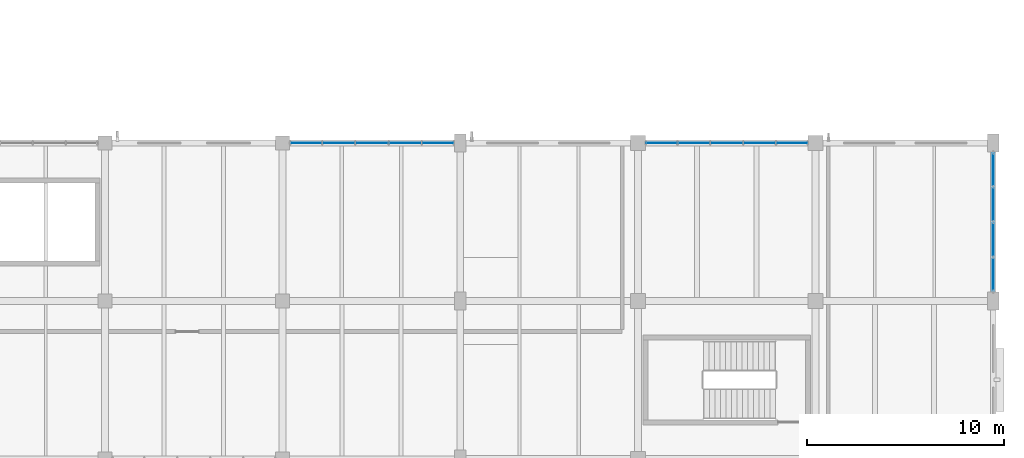
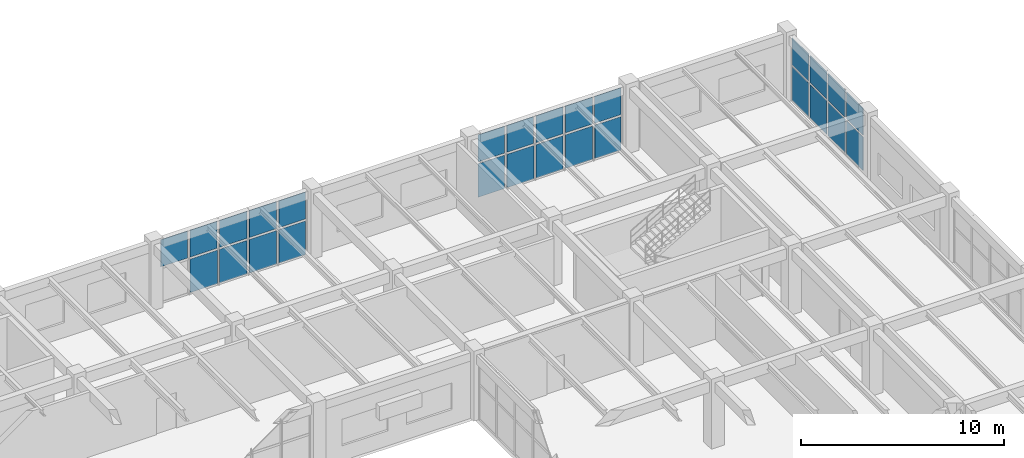
# One storey, part 107 of 128: 27 plates, 3 elements without a shape of their own.
"""IFC4 building model written with IfcOpenShell, lengths in metres."""

from ifc_helpers import new_model, si_unit, derived_unit, direction, frame, origin, origin_2d, place, context, subcontext, project, spatial, rectangle, extrude, material, layer, layer_set, type_object, element, aggregate, save


model = new_model("IFC4")

# Units and contexts
model_context = context("Model", 3, precision=1e-05, world=origin(), true_north=direction((0.0, 1.0)))
body_context = subcontext(model_context, "Body", "Model", "MODEL_VIEW")
ifc_project = project(units=[si_unit("LENGTHUNIT", "METRE"), si_unit("AREAUNIT", "SQUARE_METRE"), si_unit("VOLUMEUNIT", "CUBIC_METRE"), si_unit("PLANEANGLEUNIT", "RADIAN"), si_unit("MASSUNIT", "GRAM", prefix="KILO"), derived_unit("THERMALTRANSMITTANCEUNIT", [(si_unit("MASSUNIT", "GRAM", prefix="KILO"), 1), (si_unit("TIMEUNIT", "SECOND"), -3), (si_unit("THERMODYNAMICTEMPERATUREUNIT", "KELVIN"), -1)])], contexts=[model_context])

# Site, building, storey
site_placement = place(None, origin())
site = spatial("IfcSite", under=ifc_project, at=site_placement, CompositionType="ELEMENT")
building_placement = place(site_placement, origin())
building = spatial("IfcBuilding", under=site, at=building_placement, Name="Zhenchuan Archway Interchange", CompositionType="ELEMENT")
storey_placement = place(building_placement, frame((0.0, 0.0, 14.39990234375)))
storey = spatial("IfcBuildingStorey", under=building, at=storey_placement, Name="L03", CompositionType="ELEMENT", Elevation=14.39990234375)

# Curtain wall, plates
ifc_material_1 = material(Name="Anodised Aluminium", Category="aluminium")
curtain_wall_type_1 = type_object("IfcCurtainWallType", Name="CW_UNIT_1", PredefinedType="NOTDEFINED", material=ifc_material_1)
curtain_wall_1_placement = place(storey_placement, origin())
curtain_wall_1 = element("IfcCurtainWall", 1, at=curtain_wall_1_placement, inside=storey, type_object=curtain_wall_type_1, Name="Unitised curtain wall CW:L03:176", PredefinedType="NOTDEFINED")
ifc_material_2 = material(Name="Double Low-E Insulated Glazing", Category="glass")
ifc_layer_1 = layer(ifc_material_2, 0.028076171875)
ifc_layer_set_1 = layer_set([ifc_layer_1], Name="Double Low-E Insulated Glazing")
plate_type_1 = type_object("IfcPlateType", Name="CW_GLZ_1", PredefinedType="CURTAIN_PANEL", material=ifc_layer_set_1)
plate_1_placement = place(storey_placement, frame((137.84228515625, 104.0, 0.080078125), z_axis=(0.0, 0.0, 1.0), x_axis=(1.0, 0.0, 0.0)))
plate_1 = element("IfcPlate", 2, at=plate_1_placement, type_object=plate_type_1, Name="CW:L03:176 lower glazing panel 1", PredefinedType="CURTAIN_PANEL", context=body_context, shape_type="SweptSolid", body=[
    extrude(rectangle(XDim=1.542724609375, YDim=0.028076171875, at=origin_2d()), origin(), (0.0, 0.0, 1.0), 2.01611328125),
])
plate_2_placement = place(storey_placement, frame((139.52490234375, 104.0, 0.080078125), z_axis=(0.0, 0.0, 1.0), x_axis=(1.0, 0.0, 0.0)))
plate_2 = element("IfcPlate", 3, at=plate_2_placement, type_object=plate_type_1, Name="CW:L03:176 lower glazing panel 2", PredefinedType="CURTAIN_PANEL", context=body_context, shape_type="SweptSolid", body=[
    extrude(rectangle(XDim=1.542724609375, YDim=0.028076171875, at=origin_2d()), origin(), (0.0, 0.0, 1.0), 2.01611328125),
])
plate_3_placement = place(storey_placement, frame((141.207763671875, 104.0, 0.080078125), z_axis=(0.0, 0.0, 1.0), x_axis=(1.0, 0.0, 0.0)))
plate_3 = element("IfcPlate", 4, at=plate_3_placement, type_object=plate_type_1, Name="CW:L03:176 lower glazing panel 3", PredefinedType="CURTAIN_PANEL", context=body_context, shape_type="SweptSolid", body=[
    extrude(rectangle(XDim=1.542724609375, YDim=0.028076171875, at=origin_2d()), origin(), (0.0, 0.0, 1.0), 2.01611328125),
])
plate_4_placement = place(storey_placement, frame((142.880615234375, 104.0, 0.080078125), z_axis=(0.0, 0.0, 1.0), x_axis=(1.0, 0.0, 0.0)))
plate_4 = element("IfcPlate", 5, at=plate_4_placement, type_object=plate_type_1, Name="CW:L03:176 lower glazing panel 4", PredefinedType="CURTAIN_PANEL", context=body_context, shape_type="SweptSolid", body=[
    extrude(rectangle(XDim=1.522705078125, YDim=0.028076171875, at=origin_2d()), origin(), (0.0, 0.0, 1.0), 2.01611328125),
])

curtain_wall_type_2 = type_object("IfcCurtainWallType", Name="CW_UNIT_2", PredefinedType="NOTDEFINED", material=ifc_material_1)
curtain_wall_2_placement = place(storey_placement, origin())
curtain_wall_2 = element("IfcCurtainWall", 6, at=curtain_wall_2_placement, inside=storey, type_object=curtain_wall_type_2, Name="Unitised curtain wall CW:L03:177", PredefinedType="NOTDEFINED")
plate_5_placement = place(storey_placement, frame((154.184326171875, 104.0, 0.080078125), z_axis=(0.0, 0.0, 1.0), x_axis=(1.0, 0.0, 0.0)))
plate_5 = element("IfcPlate", 7, at=plate_5_placement, type_object=plate_type_1, Name="CW:L03:177 lower glazing panel 0", PredefinedType="CURTAIN_PANEL", context=body_context, shape_type="SweptSolid", body=[
    extrude(rectangle(XDim=1.502685546875, YDim=0.028076171875, at=origin_2d()), origin(), (0.0, 0.0, 1.0), 2.010498046875),
])
plate_6_placement = place(storey_placement, frame((155.837158203125, 104.0, 0.080078125), z_axis=(0.0, 0.0, 1.0), x_axis=(1.0, 0.0, 0.0)))
plate_6 = element("IfcPlate", 8, at=plate_6_placement, type_object=plate_type_1, Name="CW:L03:177 lower glazing panel 1", PredefinedType="CURTAIN_PANEL", context=body_context, shape_type="SweptSolid", body=[
    extrude(rectangle(XDim=1.522705078125, YDim=0.028076171875, at=origin_2d()), origin(), (0.0, 0.0, 1.0), 2.010498046875),
])
plate_7_placement = place(storey_placement, frame((157.5, 104.0, 0.080078125), z_axis=(0.0, 0.0, 1.0), x_axis=(1.0, 0.0, 0.0)))
plate_7 = element("IfcPlate", 9, at=plate_7_placement, type_object=plate_type_1, Name="CW:L03:177 lower glazing panel 2", PredefinedType="CURTAIN_PANEL", context=body_context, shape_type="SweptSolid", body=[
    extrude(rectangle(XDim=1.522705078125, YDim=0.028076171875, at=origin_2d()), origin(), (0.0, 0.0, 1.0), 2.010498046875),
])
plate_8_placement = place(storey_placement, frame((159.162841796875, 104.0, 0.080078125), z_axis=(0.0, 0.0, 1.0), x_axis=(1.0, 0.0, 0.0)))
plate_8 = element("IfcPlate", 10, at=plate_8_placement, type_object=plate_type_1, Name="CW:L03:177 lower glazing panel 3", PredefinedType="CURTAIN_PANEL", context=body_context, shape_type="SweptSolid", body=[
    extrude(rectangle(XDim=1.522705078125, YDim=0.028076171875, at=origin_2d()), origin(), (0.0, 0.0, 1.0), 2.010498046875),
])
plate_9_placement = place(storey_placement, frame((160.815673828125, 104.0, 0.080078125), z_axis=(0.0, 0.0, 1.0), x_axis=(1.0, 0.0, 0.0)))
plate_9 = element("IfcPlate", 11, at=plate_9_placement, type_object=plate_type_1, Name="CW:L03:177 lower glazing panel 4", PredefinedType="CURTAIN_PANEL", context=body_context, shape_type="SweptSolid", body=[
    extrude(rectangle(XDim=1.502685546875, YDim=0.028076171875, at=origin_2d()), origin(), (0.0, 0.0, 1.0), 2.010498046875),
])

# Plate
ifc_layer_2 = layer(ifc_material_2, 0.02587890625)
ifc_layer_set_2 = layer_set([ifc_layer_2], Name="Double Low-E Insulated Glazing")
plate_type_2 = type_object("IfcPlateType", Name="CW_GLZ_2", PredefinedType="CURTAIN_PANEL", material=ifc_layer_set_2)
plate_10_placement = place(storey_placement, frame((136.16943359375, 104.0, 2.216064453125), z_axis=(0.0, 0.0, 1.0), x_axis=(1.0, 0.0, 0.0)))
plate_10 = element("IfcPlate", 12, at=plate_10_placement, type_object=plate_type_2, Name="CW:L03:176 upper glazing panel 0", PredefinedType="CURTAIN_PANEL", context=body_context, shape_type="SweptSolid", body=[
    extrude(rectangle(XDim=1.522705078125, YDim=0.02587890625, at=origin_2d()), origin(), (0.0, 0.0, 1.0), 1.6240234375),
])

plate_11_placement = place(storey_placement, frame((137.84228515625, 104.0, 2.216064453125), z_axis=(0.0, 0.0, 1.0), x_axis=(1.0, 0.0, 0.0)))
plate_11 = element("IfcPlate", 13, at=plate_11_placement, type_object=plate_type_2, Name="CW:L03:176 upper glazing panel 1", PredefinedType="CURTAIN_PANEL", context=body_context, shape_type="SweptSolid", body=[
    extrude(rectangle(XDim=1.542724609375, YDim=0.02587890625, at=origin_2d()), origin(), (0.0, 0.0, 1.0), 1.6240234375),
])

plate_12_placement = place(storey_placement, frame((139.52490234375, 104.0, 2.216064453125), z_axis=(0.0, 0.0, 1.0), x_axis=(1.0, 0.0, 0.0)))
plate_12 = element("IfcPlate", 14, at=plate_12_placement, type_object=plate_type_2, Name="CW:L03:176 upper glazing panel 2", PredefinedType="CURTAIN_PANEL", context=body_context, shape_type="SweptSolid", body=[
    extrude(rectangle(XDim=1.542724609375, YDim=0.02587890625, at=origin_2d()), origin(), (0.0, 0.0, 1.0), 1.6240234375),
])

plate_13_placement = place(storey_placement, frame((141.207763671875, 104.0, 2.216064453125), z_axis=(0.0, 0.0, 1.0), x_axis=(1.0, 0.0, 0.0)))
plate_13 = element("IfcPlate", 15, at=plate_13_placement, type_object=plate_type_2, Name="CW:L03:176 upper glazing panel 3", PredefinedType="CURTAIN_PANEL", context=body_context, shape_type="SweptSolid", body=[
    extrude(rectangle(XDim=1.542724609375, YDim=0.02587890625, at=origin_2d()), origin(), (0.0, 0.0, 1.0), 1.6240234375),
])

plate_14_placement = place(storey_placement, frame((142.880615234375, 104.0, 2.216064453125), z_axis=(0.0, 0.0, 1.0), x_axis=(1.0, 0.0, 0.0)))
plate_14 = element("IfcPlate", 16, at=plate_14_placement, type_object=plate_type_2, Name="CW:L03:176 upper glazing panel 4", PredefinedType="CURTAIN_PANEL", context=body_context, shape_type="SweptSolid", body=[
    extrude(rectangle(XDim=1.522705078125, YDim=0.02587890625, at=origin_2d()), origin(), (0.0, 0.0, 1.0), 1.6240234375),
])

aggregate(curtain_wall_1, [plate_10, plate_1, plate_11, plate_2, plate_12, plate_3, plate_13, plate_4, plate_14])

plate_15_placement = place(storey_placement, frame((154.184326171875, 104.0, 2.21044921875), z_axis=(0.0, 0.0, 1.0), x_axis=(1.0, 0.0, 0.0)))
plate_15 = element("IfcPlate", 17, at=plate_15_placement, type_object=plate_type_2, Name="CW:L03:177 upper glazing panel 0", PredefinedType="CURTAIN_PANEL", context=body_context, shape_type="SweptSolid", body=[
    extrude(rectangle(XDim=1.502685546875, YDim=0.02587890625, at=origin_2d()), origin(), (0.0, 0.0, 1.0), 1.619384765625),
])

plate_16_placement = place(storey_placement, frame((155.837158203125, 104.0, 2.21044921875), z_axis=(0.0, 0.0, 1.0), x_axis=(1.0, 0.0, 0.0)))
plate_16 = element("IfcPlate", 18, at=plate_16_placement, type_object=plate_type_2, Name="CW:L03:177 upper glazing panel 1", PredefinedType="CURTAIN_PANEL", context=body_context, shape_type="SweptSolid", body=[
    extrude(rectangle(XDim=1.522705078125, YDim=0.02587890625, at=origin_2d()), origin(), (0.0, 0.0, 1.0), 1.619384765625),
])

plate_17_placement = place(storey_placement, frame((157.5, 104.0, 2.21044921875), z_axis=(0.0, 0.0, 1.0), x_axis=(1.0, 0.0, 0.0)))
plate_17 = element("IfcPlate", 19, at=plate_17_placement, type_object=plate_type_2, Name="CW:L03:177 upper glazing panel 2", PredefinedType="CURTAIN_PANEL", context=body_context, shape_type="SweptSolid", body=[
    extrude(rectangle(XDim=1.522705078125, YDim=0.02587890625, at=origin_2d()), origin(), (0.0, 0.0, 1.0), 1.619384765625),
])

plate_18_placement = place(storey_placement, frame((159.162841796875, 104.0, 2.21044921875), z_axis=(0.0, 0.0, 1.0), x_axis=(1.0, 0.0, 0.0)))
plate_18 = element("IfcPlate", 20, at=plate_18_placement, type_object=plate_type_2, Name="CW:L03:177 upper glazing panel 3", PredefinedType="CURTAIN_PANEL", context=body_context, shape_type="SweptSolid", body=[
    extrude(rectangle(XDim=1.522705078125, YDim=0.02587890625, at=origin_2d()), origin(), (0.0, 0.0, 1.0), 1.619384765625),
])

plate_19_placement = place(storey_placement, frame((160.815673828125, 104.0, 2.21044921875), z_axis=(0.0, 0.0, 1.0), x_axis=(1.0, 0.0, 0.0)))
plate_19 = element("IfcPlate", 21, at=plate_19_placement, type_object=plate_type_2, Name="CW:L03:177 upper glazing panel 4", PredefinedType="CURTAIN_PANEL", context=body_context, shape_type="SweptSolid", body=[
    extrude(rectangle(XDim=1.502685546875, YDim=0.02587890625, at=origin_2d()), origin(), (0.0, 0.0, 1.0), 1.619384765625),
])

aggregate(curtain_wall_2, [plate_5, plate_15, plate_6, plate_16, plate_7, plate_17, plate_8, plate_18, plate_9, plate_19])

# Curtain wall, plates
curtain_wall_type_3 = type_object("IfcCurtainWallType", Name="CW_UNIT_3", PredefinedType="NOTDEFINED", material=ifc_material_1)
curtain_wall_3_placement = place(storey_placement, origin())
curtain_wall_3 = element("IfcCurtainWall", 22, at=curtain_wall_3_placement, inside=storey, type_object=curtain_wall_type_3, Name="Unitised curtain wall CW:L03:178", PredefinedType="NOTDEFINED")
ifc_layer_3 = layer(ifc_material_2, 0.030029296875)
ifc_layer_set_3 = layer_set([ifc_layer_3], Name="Double Low-E Insulated Glazing")
plate_type_3 = type_object("IfcPlateType", Name="CW_GLZ_3", PredefinedType="CURTAIN_PANEL", material=ifc_layer_set_3)
plate_20_placement = place(storey_placement, frame((171.0, 102.676513671875, 0.080078125), z_axis=(0.0, 0.0, 1.0), x_axis=(0.0, -1.0, 0.0)))
plate_20 = element("IfcPlate", 23, at=plate_20_placement, type_object=plate_type_3, Name="CW:L03:178 lower glazing panel 0", PredefinedType="CURTAIN_PANEL", context=body_context, shape_type="SweptSolid", body=[
    extrude(rectangle(XDim=1.631103515625, YDim=0.028076171875, at=origin_2d()), origin(), (0.0, 0.0, 1.0), 2.010498046875),
])
plate_21_placement = place(storey_placement, frame((171.0, 100.8955078125, 0.080078125), z_axis=(0.0, 0.0, 1.0), x_axis=(0.0, -1.0, 0.0)))
plate_21 = element("IfcPlate", 24, at=plate_21_placement, type_object=plate_type_3, Name="CW:L03:178 lower glazing panel 1", PredefinedType="CURTAIN_PANEL", context=body_context, shape_type="SweptSolid", body=[
    extrude(rectangle(XDim=1.65087890625, YDim=0.028076171875, at=origin_2d()), origin(), (0.0, 0.0, 1.0), 2.010498046875),
])
plate_22_placement = place(storey_placement, frame((171.0, 99.1044921875, 0.080078125), z_axis=(0.0, 0.0, 1.0), x_axis=(0.0, -1.0, 0.0)))
plate_22 = element("IfcPlate", 25, at=plate_22_placement, type_object=plate_type_3, Name="CW:L03:178 lower glazing panel 2", PredefinedType="CURTAIN_PANEL", context=body_context, shape_type="SweptSolid", body=[
    extrude(rectangle(XDim=1.65087890625, YDim=0.028076171875, at=origin_2d()), origin(), (0.0, 0.0, 1.0), 2.010498046875),
])
plate_23_placement = place(storey_placement, frame((171.0, 97.323486328125, 0.080078125), z_axis=(0.0, 0.0, 1.0), x_axis=(0.0, -1.0, 0.0)))
plate_23 = element("IfcPlate", 26, at=plate_23_placement, type_object=plate_type_3, Name="CW:L03:178 lower glazing panel 3", PredefinedType="CURTAIN_PANEL", context=body_context, shape_type="SweptSolid", body=[
    extrude(rectangle(XDim=1.631103515625, YDim=0.028076171875, at=origin_2d()), origin(), (0.0, 0.0, 1.0), 2.010498046875),
])
ifc_layer_4 = layer(ifc_material_2, 0.02392578125)
ifc_layer_set_4 = layer_set([ifc_layer_4], Name="Double Low-E Insulated Glazing")
plate_type_4 = type_object("IfcPlateType", Name="CW_GLZ_4", PredefinedType="CURTAIN_PANEL", material=ifc_layer_set_4)
plate_24_placement = place(storey_placement, frame((171.0, 102.676513671875, 2.21044921875), z_axis=(0.0, 0.0, 1.0), x_axis=(0.0, -1.0, 0.0)))
plate_24 = element("IfcPlate", 27, at=plate_24_placement, type_object=plate_type_4, Name="CW:L03:178 upper glazing panel 0", PredefinedType="CURTAIN_PANEL", context=body_context, shape_type="SweptSolid", body=[
    extrude(rectangle(XDim=1.631103515625, YDim=0.02587890625, at=origin_2d()), origin(), (0.0, 0.0, 1.0), 1.619384765625),
])
plate_25_placement = place(storey_placement, frame((171.0, 100.8955078125, 2.21044921875), z_axis=(0.0, 0.0, 1.0), x_axis=(0.0, -1.0, 0.0)))
plate_25 = element("IfcPlate", 28, at=plate_25_placement, type_object=plate_type_4, Name="CW:L03:178 upper glazing panel 1", PredefinedType="CURTAIN_PANEL", context=body_context, shape_type="SweptSolid", body=[
    extrude(rectangle(XDim=1.65087890625, YDim=0.02587890625, at=origin_2d()), origin(), (0.0, 0.0, 1.0), 1.619384765625),
])
plate_26_placement = place(storey_placement, frame((171.0, 99.1044921875, 2.21044921875), z_axis=(0.0, 0.0, 1.0), x_axis=(0.0, -1.0, 0.0)))
plate_26 = element("IfcPlate", 29, at=plate_26_placement, type_object=plate_type_4, Name="CW:L03:178 upper glazing panel 2", PredefinedType="CURTAIN_PANEL", context=body_context, shape_type="SweptSolid", body=[
    extrude(rectangle(XDim=1.65087890625, YDim=0.02587890625, at=origin_2d()), origin(), (0.0, 0.0, 1.0), 1.619384765625),
])
plate_27_placement = place(storey_placement, frame((171.0, 97.323486328125, 2.21044921875), z_axis=(0.0, 0.0, 1.0), x_axis=(0.0, -1.0, 0.0)))
plate_27 = element("IfcPlate", 30, at=plate_27_placement, type_object=plate_type_4, Name="CW:L03:178 upper glazing panel 3", PredefinedType="CURTAIN_PANEL", context=body_context, shape_type="SweptSolid", body=[
    extrude(rectangle(XDim=1.631103515625, YDim=0.02587890625, at=origin_2d()), origin(), (0.0, 0.0, 1.0), 1.619384765625),
])
aggregate(curtain_wall_3, [plate_20, plate_24, plate_21, plate_25, plate_22, plate_26, plate_23, plate_27])

save(model, "model.ifc")
